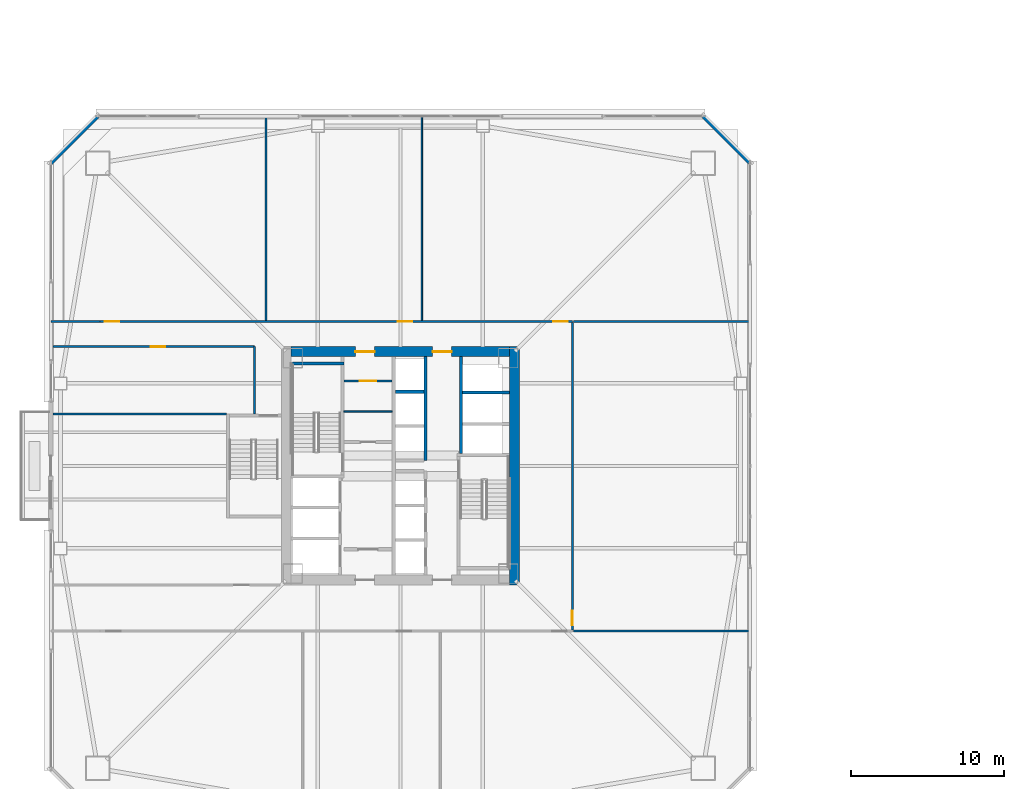
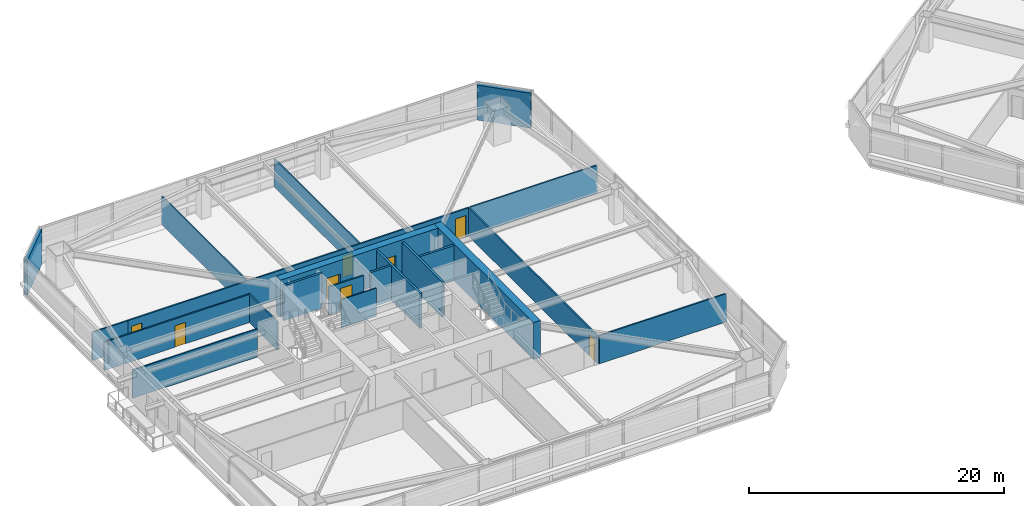
# One storey, part 36 of 47: 21 walls, 8 doors, 8 openings.
"""IFC4 building model written with IfcOpenShell, lengths in metres."""

from ifc_helpers import new_model, si_unit, direction, frame, frame_2d, origin, place, context, subcontext, project, spatial, rectangle, extrude, material, layer, layer_set, type_object, element, fill, save


model = new_model("IFC4")

# Units and contexts
model_context = context("Model", 3, precision=1e-05, world=origin(), true_north=direction((0.0, 1.0)))
body_context = subcontext(model_context, "Body", "Model", "MODEL_VIEW")
ifc_project = project(units=[si_unit("LENGTHUNIT", "METRE"), si_unit("AREAUNIT", "SQUARE_METRE"), si_unit("VOLUMEUNIT", "CUBIC_METRE"), si_unit("PLANEANGLEUNIT", "RADIAN"), si_unit("MASSUNIT", "GRAM", prefix="KILO")], contexts=[model_context])

# Site, building, storey
site_placement = place(None, origin())
site = spatial("IfcSite", under=ifc_project, at=site_placement, CompositionType="ELEMENT")
building_placement = place(site_placement, origin())
building = spatial("IfcBuilding", under=site, at=building_placement, Name="Tashvorn Skyway Center", CompositionType="ELEMENT")
storey_placement = place(building_placement, frame((0.0, 0.0, 42.35009765625)))
storey = spatial("IfcBuildingStorey", under=building, at=storey_placement, Name="L10", CompositionType="ELEMENT", Elevation=42.35009765625)

# Wall
ifc_material_1 = material(Name="Concrete C60/75", Category="concrete")
ifc_layer_1 = layer(ifc_material_1, 0.64990234375)
ifc_layer_set_1 = layer_set([ifc_layer_1], Name="Concrete C60/75")
wall_type_1 = type_object("IfcWallType", Name="WALL-CORE-650", PredefinedType="SHEAR", material=ifc_layer_set_1)
wall_1_placement = place(storey_placement, frame((49.47509765625, 39.800048828125, 0.0), z_axis=(0.0, 0.0, 1.0), x_axis=(0.0, -1.0, 0.0)))
element("IfcWall", 1, at=wall_1_placement, inside=storey, type_object=wall_type_1, Name="Tower 1 L10 East Core Shear Wall", PredefinedType="SHEAR", context=body_context, shape_type="SweptSolid", body=[
    extrude(rectangle(XDim=15.60009765625, YDim=0.64990234375, at=frame_2d((7.800048828125, 0.0))), origin(), (0.0, 0.0, 1.0), 3.5498046875),
])

# Wall, openings, doors
wall_2_placement = place(storey_placement, frame((34.85009765625, 39.47509765625, 0.0), z_axis=(0.0, 0.0, 1.0), x_axis=(1.0, 0.0, 0.0)))
wall_2 = element("IfcWall", 2, at=wall_2_placement, inside=storey, type_object=wall_type_1, Name="Tower 1 L10 North Core Shear Wall", PredefinedType="SHEAR", context=body_context, shape_type="SweptSolid", body=[
    extrude(rectangle(XDim=14.2998046875, YDim=0.64990234375, at=frame_2d((7.14990234375, 0.0))), origin(), (0.0, 0.0, 1.0), 3.5498046875),
])
opening_1_placement = place(wall_2_placement, frame((4.199951171875, 0.0, 0.0)))
opening_1 = element("IfcOpeningElement", 3, at=opening_1_placement, cuts=wall_2, Name="Opening D-FFL-1250", PredefinedType="OPENING", context=body_context, shape_type="SweptSolid", body=[
    extrude(rectangle(XDim=1.25, YDim=2.25, at=frame_2d((0.625, 1.125))), frame((0.0, 0.3349609375, 0.0), z_axis=(0.0, -1.0, 0.0), x_axis=(1.0, 0.0, 0.0)), (0.0, 0.0, 1.0), 0.669921875),
])
opening_2_placement = place(wall_2_placement, frame((9.25, 0.0, 0.0)))
opening_2 = element("IfcOpeningElement", 4, at=opening_2_placement, cuts=wall_2, Name="Opening D-FFL-1250", PredefinedType="OPENING", context=body_context, shape_type="SweptSolid", body=[
    extrude(rectangle(XDim=1.25, YDim=2.25, at=frame_2d((0.625, 1.125))), frame((0.0, 0.3349609375, 0.0), z_axis=(0.0, -1.0, 0.0), x_axis=(1.0, 0.0, 0.0)), (0.0, 0.0, 1.0), 0.669921875),
])
ifc_material_2 = material(Name="Hollow galvanized steel fire door assembly", Category="steel")
door_type_1 = type_object("IfcDoorType", Name="DOOR-FFL-1250", OperationType="NOTDEFINED", PredefinedType="DOOR", material=ifc_material_2)
door_1_placement = place(opening_1_placement, origin())
door_1 = element("IfcDoor", 5, at=door_1_placement, inside=storey, type_object=door_type_1, Name="Tower 1 L10 Core North Service Lobby Door", OperationType="SINGLE_SWING_LEFT", OverallHeight=2.25, OverallWidth=1.25, PredefinedType="DOOR", context=body_context, shape_type="SweptSolid", body=[
    extrude(rectangle(XDim=1.25, YDim=2.25, at=frame_2d((0.625, 1.125))), frame((0.0, 0.02490234375, 0.0), z_axis=(0.0, -1.0, 0.0), x_axis=(1.0, 0.0, 0.0)), (0.0, 0.0, 1.0), 0.050048828125),
])
fill(opening_1, door_1)
door_2_placement = place(opening_2_placement, origin())
door_2 = element("IfcDoor", 6, at=door_2_placement, inside=storey, type_object=door_type_1, Name="Tower 1 L10 Core North Lift Lobby Door", OperationType="SINGLE_SWING_RIGHT", OverallHeight=2.25, OverallWidth=1.25, PredefinedType="DOOR", context=body_context, shape_type="SweptSolid", body=[
    extrude(rectangle(XDim=1.25, YDim=2.25, at=frame_2d((0.625, 1.125))), frame((0.0, 0.02490234375, 0.0), z_axis=(0.0, -1.0, 0.0), x_axis=(1.0, 0.0, 0.0)), (0.0, 0.0, 1.0), 0.050048828125),
])
fill(opening_2, door_2)

# Walls
ifc_material_3 = material(Name="Precast concrete C40/50", Category="concrete")
ifc_layer_2 = layer(ifc_material_3, 0.280029296875)
ifc_layer_set_2 = layer_set([ifc_layer_2], Name="Precast concrete C40/50")
wall_type_2 = type_object("IfcWallType", Name="WALL-EXT-280", PredefinedType="SOLIDWALL", material=ifc_layer_set_2)
for number, where, z_axis, x_axis, name in (
    (7, (19.10009765625, 51.800048828125, 0.0), (0.0, 0.0, 1.0), (0.707106781187, 0.707106781187, 0.0), "Tower 1 L10 NW Precast Chamfer Wall"),
    (8, (61.800048828125, 54.89990234375, 0.0), (0.0, 0.0, 1.0), (0.707106781187, -0.707106781187, 0.0), "Tower 1 L10 NE Precast Chamfer Wall"),
):
    element("IfcWall", number, at=place(storey_placement, frame(where, z_axis=z_axis, x_axis=x_axis)), inside=storey, type_object=wall_type_2, Name=name, PredefinedType="SOLIDWALL", context=body_context, shape_type="SweptSolid", body=[
        extrude(rectangle(XDim=4.3837890625, YDim=0.280029296875, at=frame_2d((2.19189453125, 0.0))), origin(), (0.0, 0.0, 1.0), 3.349853515625),
    ])
ifc_material_4 = material(Name="Gypsum board on cold-formed steel stud framing", Category="steel")
ifc_layer_3 = layer(ifc_material_4, 0.110107421875)
ifc_layer_set_3 = layer_set([ifc_layer_3], Name="Gypsum board on cold-formed steel stud framing")
wall_type_3 = type_object("IfcWallType", Name="WALL-PART-110", PredefinedType="PARTITIONING", material=ifc_layer_set_3)
for number, where, z_axis, x_axis, name in (
    (9, (33.199951171875, 41.530029296875, 0.0), (0.0, 0.0, 1.0), (0.0, 1.0, 0.0), "Tower 1 L10 North Suite Partition 1"),
    (10, (43.39990234375, 41.530029296875, 0.0), (0.0, 0.0, 1.0), (0.0, 1.0, 0.0), "Tower 1 L10 North Suite Partition 2"),
):
    element("IfcWall", number, at=place(storey_placement, frame(where, z_axis=z_axis, x_axis=x_axis)), inside=storey, type_object=wall_type_3, Name=name, PredefinedType="PARTITIONING", context=body_context, shape_type="SweptSolid", body=[
        extrude(rectangle(XDim=13.349853515625, YDim=0.110107421875, at=frame_2d((6.6748046875, 0.0))), origin(), (0.0, 0.0, 1.0), 2.702880859375),
    ])
wall_3_placement = place(storey_placement, frame((30.60009765625, 35.39990234375, 0.0), z_axis=(0.0, 0.0, 1.0), x_axis=(-1.0, 0.0, 0.0)))
element("IfcWall", 11, at=wall_3_placement, inside=storey, type_object=wall_type_3, Name="Tower 1 L10 West Suite Partition 1", PredefinedType="PARTITIONING", context=body_context, shape_type="SweptSolid", body=[
    extrude(rectangle(XDim=11.330078125, YDim=0.110107421875, at=frame_2d((5.6650390625, 0.0))), origin(), (0.0, 0.0, 1.0), 2.702880859375),
])
ifc_layer_4 = layer(ifc_material_4, 0.135009765625)
ifc_layer_set_4 = layer_set([ifc_layer_4], Name="Gypsum board on cold-formed steel stud framing")
wall_type_4 = type_object("IfcWallType", Name="WALL-PART-135", PredefinedType="PARTITIONING", material=ifc_layer_set_4)
wall_4_placement = place(storey_placement, frame((32.449951171875, 35.39990234375, 0.0), z_axis=(0.0, 0.0, 1.0), x_axis=(0.0, 1.0, 0.0)))
element("IfcWall", 12, at=wall_4_placement, inside=storey, type_object=wall_type_4, Name="Tower 1 L10 Stair 3 Access Corridor Wall", PredefinedType="PARTITIONING", context=body_context, shape_type="SweptSolid", body=[
    extrude(rectangle(XDim=4.400146484375, YDim=0.135009765625, at=frame_2d((2.2001953125, 0.0))), origin(), (0.0, 0.0, 1.0), 2.702880859375),
])

# Wall, openings, doors
wall_5_placement = place(storey_placement, frame((22.35009765625, 41.449951171875, 0.0), z_axis=(0.0, 0.0, 1.0), x_axis=(1.0, 0.0, 0.0)))
wall_5 = element("IfcWall", 13, at=wall_5_placement, inside=storey, type_object=wall_type_4, Name="Tower 1 L10 North Suite Wall", PredefinedType="PARTITIONING", context=body_context, shape_type="SweptSolid", body=[
    extrude(rectangle(XDim=30.89990234375, YDim=0.135009765625, at=frame_2d((15.449951171875, 0.0))), origin(), (0.0, 0.0, 1.0), 2.702880859375),
])
opening_3_placement = place(wall_5_placement, frame((0.300048828125, 0.0, 0.0)))
opening_3 = element("IfcOpeningElement", 14, at=opening_3_placement, cuts=wall_5, Name="Opening D-INT-950", PredefinedType="OPENING", context=body_context, shape_type="SweptSolid", body=[
    extrude(rectangle(XDim=0.949951171875, YDim=2.050048828125, at=frame_2d((0.47509765625, 1.02490234375))), frame((0.0, 0.077392578125, 0.0), z_axis=(0.0, -1.0, 0.0), x_axis=(1.0, 0.0, 0.0)), (0.0, 0.0, 1.0), 0.155029296875),
])
opening_4_placement = place(wall_5_placement, frame((19.462646484375, 0.0, 0.0)))
opening_4 = element("IfcOpeningElement", 15, at=opening_4_placement, cuts=wall_5, Name="Opening D-INT-950", PredefinedType="OPENING", context=body_context, shape_type="SweptSolid", body=[
    extrude(rectangle(XDim=0.949951171875, YDim=2.050048828125, at=frame_2d((0.47509765625, 1.02490234375))), frame((0.0, 0.077392578125, 0.0), z_axis=(0.0, -1.0, 0.0), x_axis=(1.0, 0.0, 0.0)), (0.0, 0.0, 1.0), 0.155029296875),
])
opening_5_placement = place(wall_5_placement, frame((29.64990234375, 0.0, 0.0)))
opening_5 = element("IfcOpeningElement", 16, at=opening_5_placement, cuts=wall_5, Name="Opening D-INT-950", PredefinedType="OPENING", context=body_context, shape_type="SweptSolid", body=[
    extrude(rectangle(XDim=0.949951171875, YDim=2.050048828125, at=frame_2d((0.47509765625, 1.02490234375))), frame((0.0, 0.077392578125, 0.0), z_axis=(0.0, -1.0, 0.0), x_axis=(1.0, 0.0, 0.0)), (0.0, 0.0, 1.0), 0.155029296875),
])
ifc_material_5 = material(Name="Solid-core architectural oak veneer door")
door_type_2 = type_object("IfcDoorType", Name="DOOR-INT-950", OperationType="NOTDEFINED", PredefinedType="DOOR", material=ifc_material_5)
door_3_placement = place(opening_3_placement, origin())
door_3 = element("IfcDoor", 17, at=door_3_placement, inside=storey, type_object=door_type_2, Name="Tower 1 L10 Executive Suite Door", OperationType="SINGLE_SWING_LEFT", OverallHeight=2.050048828125, OverallWidth=0.949951171875, PredefinedType="DOOR", context=body_context, shape_type="SweptSolid", body=[
    extrude(rectangle(XDim=0.949951171875, YDim=2.050048828125, at=frame_2d((0.47509765625, 1.02490234375))), frame((0.0, 0.02490234375, 0.0), z_axis=(0.0, -1.0, 0.0), x_axis=(1.0, 0.0, 0.0)), (0.0, 0.0, 1.0), 0.050048828125),
])
fill(opening_3, door_3)
door_4_placement = place(opening_4_placement, origin())
door_4 = element("IfcDoor", 18, at=door_4_placement, inside=storey, type_object=door_type_2, Name="Tower 1 L10 Executive Suite Door", OperationType="SINGLE_SWING_RIGHT", OverallHeight=2.050048828125, OverallWidth=0.949951171875, PredefinedType="DOOR", context=body_context, shape_type="SweptSolid", body=[
    extrude(rectangle(XDim=0.949951171875, YDim=2.050048828125, at=frame_2d((0.47509765625, 1.02490234375))), frame((0.0, 0.02490234375, 0.0), z_axis=(0.0, -1.0, 0.0), x_axis=(1.0, 0.0, 0.0)), (0.0, 0.0, 1.0), 0.050048828125),
])
fill(opening_4, door_4)
door_5_placement = place(opening_5_placement, origin())
door_5 = element("IfcDoor", 19, at=door_5_placement, inside=storey, type_object=door_type_2, Name="Tower 1 L10 Corporate Office Door", OperationType="SINGLE_SWING_LEFT", OverallHeight=2.050048828125, OverallWidth=0.949951171875, PredefinedType="DOOR", context=body_context, shape_type="SweptSolid", body=[
    extrude(rectangle(XDim=0.949951171875, YDim=2.050048828125, at=frame_2d((0.47509765625, 1.02490234375))), frame((0.0, 0.02490234375, 0.0), z_axis=(0.0, -1.0, 0.0), x_axis=(1.0, 0.0, 0.0)), (0.0, 0.0, 1.0), 0.050048828125),
])
fill(opening_5, door_5)

# Wall
wall_6_placement = place(storey_placement, frame((19.1201171875, 41.449951171875, 0.0), z_axis=(0.0, 0.0, 1.0), x_axis=(1.0, 0.0, 0.0)))
element("IfcWall", 20, at=wall_6_placement, inside=storey, type_object=wall_type_4, Name="Tower 1 L10 North-West Suite South Wall", PredefinedType="PARTITIONING", context=body_context, shape_type="SweptSolid", body=[
    extrude(rectangle(XDim=3.22998046875, YDim=0.135009765625, at=frame_2d((1.614990234375, 0.0))), origin(), (0.0, 0.0, 1.0), 2.702880859375),
])

# Wall, opening, door
wall_7_placement = place(storey_placement, frame((53.25, 41.3701171875, 0.0), z_axis=(0.0, 0.0, 1.0), x_axis=(0.0, -1.0, 0.0)))
wall_7 = element("IfcWall", 21, at=wall_7_placement, inside=storey, type_object=wall_type_4, Name="Tower 1 L10 East Inner Suite Wall", PredefinedType="PARTITIONING", context=body_context, shape_type="SweptSolid", body=[
    extrude(rectangle(XDim=20.110107421875, YDim=0.135009765625, at=frame_2d((10.05517578125, 0.0))), origin(), (0.0, 0.0, 1.0), 2.702880859375),
])
opening_6_placement = place(wall_7_placement, frame((18.860107421875, 0.0, 0.0)))
opening_6 = element("IfcOpeningElement", 22, at=opening_6_placement, cuts=wall_7, Name="Opening D-INT-950", PredefinedType="OPENING", context=body_context, shape_type="SweptSolid", body=[
    extrude(rectangle(XDim=0.949951171875, YDim=2.050048828125, at=frame_2d((0.47509765625, 1.02490234375))), frame((0.0, 0.077392578125, 0.0), z_axis=(0.0, -1.0, 0.0), x_axis=(1.0, 0.0, 0.0)), (0.0, 0.0, 1.0), 0.155029296875),
])
door_6_placement = place(opening_6_placement, origin())
door_6 = element("IfcDoor", 23, at=door_6_placement, inside=storey, type_object=door_type_2, Name="Tower 1 L10 Executive Suite Door", OperationType="SINGLE_SWING_LEFT", OverallHeight=2.050048828125, OverallWidth=0.949951171875, PredefinedType="DOOR", context=body_context, shape_type="SweptSolid", body=[
    extrude(rectangle(XDim=0.949951171875, YDim=2.050048828125, at=frame_2d((0.47509765625, 1.02490234375))), frame((0.0, 0.02490234375, 0.0), z_axis=(0.0, -1.0, 0.0), x_axis=(1.0, 0.0, 0.0)), (0.0, 0.0, 1.0), 0.050048828125),
])
fill(opening_6, door_6)

# Walls
for number, where, z_axis, x_axis, name in (
    (24, (64.8798828125, 41.449951171875, 0.0), (0.0, 0.0, 1.0), (-1.0, 0.0, 0.0), "Tower 1 L10 East Suite North Wall"),
    (25, (53.330078125, 21.179931640625, 0.0), (0.0, 0.0, 1.0), (1.0, 0.0, 0.0), "Tower 1 L10 East Suite South Wall"),
):
    element("IfcWall", number, at=place(storey_placement, frame(where, z_axis=z_axis, x_axis=x_axis)), inside=storey, type_object=wall_type_4, Name=name, PredefinedType="PARTITIONING", context=body_context, shape_type="SweptSolid", body=[
        extrude(rectangle(XDim=11.5498046875, YDim=0.135009765625, at=frame_2d((5.77490234375, 0.0))), origin(), (0.0, 0.0, 1.0), 2.702880859375),
    ])

# Wall, opening, door
wall_8_placement = place(storey_placement, frame((32.449951171875, 39.800048828125, 0.0), z_axis=(0.0, 0.0, 1.0), x_axis=(-1.0, 0.0, 0.0)))
wall_8 = element("IfcWall", 26, at=wall_8_placement, inside=storey, type_object=wall_type_4, Name="Tower 1 L10 West Suite North Wall", PredefinedType="PARTITIONING", context=body_context, shape_type="SweptSolid", body=[
    extrude(rectangle(XDim=13.179931640625, YDim=0.135009765625, at=frame_2d((6.58984375, 0.0))), origin(), (0.0, 0.0, 1.0), 2.702880859375),
])
opening_7_placement = place(wall_8_placement, frame((5.840087890625, 0.0, 0.0)))
opening_7 = element("IfcOpeningElement", 27, at=opening_7_placement, cuts=wall_8, Name="Opening D-INT-950", PredefinedType="OPENING", context=body_context, shape_type="SweptSolid", body=[
    extrude(rectangle(XDim=0.949951171875, YDim=2.050048828125, at=frame_2d((0.47509765625, 1.02490234375))), frame((0.0, 0.077392578125, 0.0), z_axis=(0.0, -1.0, 0.0), x_axis=(1.0, 0.0, 0.0)), (0.0, 0.0, 1.0), 0.155029296875),
])
door_7_placement = place(opening_7_placement, origin())
door_7 = element("IfcDoor", 28, at=door_7_placement, inside=storey, type_object=door_type_2, Name="Tower 1 L10 Security Control Room Door", OperationType="SINGLE_SWING_RIGHT", OverallHeight=2.050048828125, OverallWidth=0.949951171875, PredefinedType="DOOR", context=body_context, shape_type="SweptSolid", body=[
    extrude(rectangle(XDim=0.949951171875, YDim=2.050048828125, at=frame_2d((0.47509765625, 1.02490234375))), frame((0.0, 0.02490234375, 0.0), z_axis=(0.0, -1.0, 0.0), x_axis=(1.0, 0.0, 0.0)), (0.0, 0.0, 1.0), 0.050048828125),
])
fill(opening_7, door_7)

# Wall
ifc_layer_5 = layer(ifc_material_4, 0.110107421875)
ifc_layer_set_5 = layer_set([ifc_layer_5], Name="Gypsum board on cold-formed steel stud framing")
wall_type_5 = type_object("IfcWallType", Name="WALL-RATED-110", PredefinedType="PARTITIONING", material=ifc_layer_set_5)
wall_9_placement = place(storey_placement, frame((38.300048828125, 35.550048828125, 0.0), z_axis=(0.0, 0.0, 1.0), x_axis=(1.0, 0.0, 0.0)))
element("IfcWall", 29, at=wall_9_placement, inside=storey, type_object=wall_type_5, Name="Tower 1 L10 Core Transverse Wall", PredefinedType="PARTITIONING", context=body_context, shape_type="SweptSolid", body=[
    extrude(rectangle(XDim=3.14990234375, YDim=0.110107421875, at=frame_2d((1.574951171875, 0.0))), origin(), (0.0, 0.0, 1.0), 2.702880859375),
])

# Wall, opening, door
ifc_layer_6 = layer(ifc_material_4, 0.135009765625)
ifc_layer_set_6 = layer_set([ifc_layer_6], Name="Gypsum board on cold-formed steel stud framing")
wall_type_6 = type_object("IfcWallType", Name="WALL-RATED-135", PredefinedType="PARTITIONING", material=ifc_layer_set_6)
wall_10_placement = place(storey_placement, frame((38.300048828125, 37.550048828125, 0.0), z_axis=(0.0, 0.0, 1.0), x_axis=(1.0, 0.0, 0.0)))
wall_10 = element("IfcWall", 30, at=wall_10_placement, inside=storey, type_object=wall_type_6, Name="Tower 1 L10 Core Service Lobby Wall", PredefinedType="PARTITIONING", context=body_context, shape_type="SweptSolid", body=[
    extrude(rectangle(XDim=3.14990234375, YDim=0.135009765625, at=frame_2d((1.574951171875, 0.0))), origin(), (0.0, 0.0, 1.0), 2.702880859375),
])
opening_8_placement = place(wall_10_placement, frame((1.050048828125, 0.0, 0.0)))
opening_8 = element("IfcOpeningElement", 31, at=opening_8_placement, cuts=wall_10, Name="Opening D-RT-1050", PredefinedType="OPENING", context=body_context, shape_type="SweptSolid", body=[
    extrude(rectangle(XDim=1.050048828125, YDim=2.199951171875, at=frame_2d((0.52490234375, 1.10009765625))), frame((0.0, 0.077392578125, 0.0), z_axis=(0.0, -1.0, 0.0), x_axis=(1.0, 0.0, 0.0)), (0.0, 0.0, 1.0), 0.155029296875),
])
door_type_3 = type_object("IfcDoorType", Name="DOOR-RATED-1050", OperationType="NOTDEFINED", PredefinedType="DOOR", material=ifc_material_2)
door_8_placement = place(opening_8_placement, origin())
door_8 = element("IfcDoor", 32, at=door_8_placement, inside=storey, type_object=door_type_3, Name="Tower 1 L10 Core Accessible WC Door", OperationType="SINGLE_SWING_RIGHT", OverallHeight=2.199951171875, OverallWidth=1.050048828125, PredefinedType="DOOR", context=body_context, shape_type="SweptSolid", body=[
    extrude(rectangle(XDim=1.050048828125, YDim=2.199951171875, at=frame_2d((0.52490234375, 1.10009765625))), frame((0.0, 0.02490234375, 0.0), z_axis=(0.0, -1.0, 0.0), x_axis=(1.0, 0.0, 0.0)), (0.0, 0.0, 1.0), 0.050048828125),
])
fill(opening_8, door_8)

# Walls
ifc_material_6 = material(Name="Concrete C40/50", Category="concrete")
ifc_layer_7 = layer(ifc_material_6, 0.199951171875)
ifc_layer_set_7 = layer_set([ifc_layer_7], Name="Concrete C40/50")
wall_type_7 = type_object("IfcWallType", Name="WALL-SHAFT-200", PredefinedType="SOLIDWALL", material=ifc_layer_set_7)
wall_11_placement = place(storey_placement, frame((46.050048828125, 36.800048828125, 0.0), z_axis=(0.0, 0.0, 1.0), x_axis=(1.0, 0.0, 0.0)))
element("IfcWall", 33, at=wall_11_placement, inside=storey, type_object=wall_type_7, Name="Tower 1 L10 High-Rise Shaft Divider", PredefinedType="SOLIDWALL", context=body_context, shape_type="SweptSolid", body=[
    extrude(rectangle(XDim=3.099853515625, YDim=0.199951171875, at=frame_2d((1.5498046875, 0.0))), origin(), (0.0, 0.0, 1.0), 3.349853515625),
])
wall_12_placement = place(storey_placement, frame((43.64990234375, 32.35009765625, 0.0), z_axis=(0.0, 0.0, 1.0), x_axis=(0.0, 1.0, 0.0)))
element("IfcWall", 34, at=wall_12_placement, inside=storey, type_object=wall_type_7, Name="Tower 1 L10 Mid-Rise Core Wall", PredefinedType="SOLIDWALL", context=body_context, shape_type="SweptSolid", body=[
    extrude(rectangle(XDim=6.7998046875, YDim=0.199951171875, at=frame_2d((3.39990234375, 0.0))), origin(), (0.0, 0.0, 1.0), 3.349853515625),
])
wall_13_placement = place(storey_placement, frame((41.669921875, 36.85009765625, 0.0), z_axis=(0.0, 0.0, 1.0), x_axis=(1.0, 0.0, 0.0)))
element("IfcWall", 35, at=wall_13_placement, inside=storey, type_object=wall_type_7, Name="Tower 1 L10 Mid-Rise Shaft Divider", PredefinedType="SOLIDWALL", context=body_context, shape_type="SweptSolid", body=[
    extrude(rectangle(XDim=1.880126953125, YDim=0.199951171875, at=frame_2d((0.93994140625, 0.0))), origin(), (0.0, 0.0, 1.0), 3.349853515625),
])
ifc_layer_8 = layer(ifc_material_6, 0.199951171875)
ifc_layer_set_8 = layer_set([ifc_layer_8], Name="Concrete C40/50")
wall_type_8 = type_object("IfcWallType", Name="WALL-STSHF-200", PredefinedType="SHEAR", material=ifc_layer_set_8)
wall_14_placement = place(storey_placement, frame((34.85009765625, 38.699951171875, 0.0), z_axis=(0.0, 0.0, 1.0), x_axis=(1.0, 0.0, 0.0)))
element("IfcWall", 36, at=wall_14_placement, inside=storey, type_object=wall_type_8, Name="Tower 1 L10 Stair 1 North Wall", PredefinedType="SHEAR", context=body_context, shape_type="SweptSolid", body=[
    extrude(rectangle(XDim=3.449951171875, YDim=0.199951171875, at=frame_2d((1.72509765625, 0.0))), origin(), (0.0, 0.0, 1.0), 3.349853515625),
])
wall_15_placement = place(storey_placement, frame((45.949951171875, 39.14990234375, 0.0), z_axis=(0.0, 0.0, 1.0), x_axis=(0.0, -1.0, 0.0)))
element("IfcWall", 37, at=wall_15_placement, inside=storey, type_object=wall_type_8, Name="Tower 1 L10 High-Rise Lift Shaft Front Wall", PredefinedType="SHEAR", context=body_context, shape_type="SweptSolid", body=[
    extrude(rectangle(XDim=6.349853515625, YDim=0.199951171875, at=frame_2d((3.1748046875, 0.0))), origin(), (0.0, 0.0, 1.0), 3.349853515625),
])

save(model, "model.ifc")
